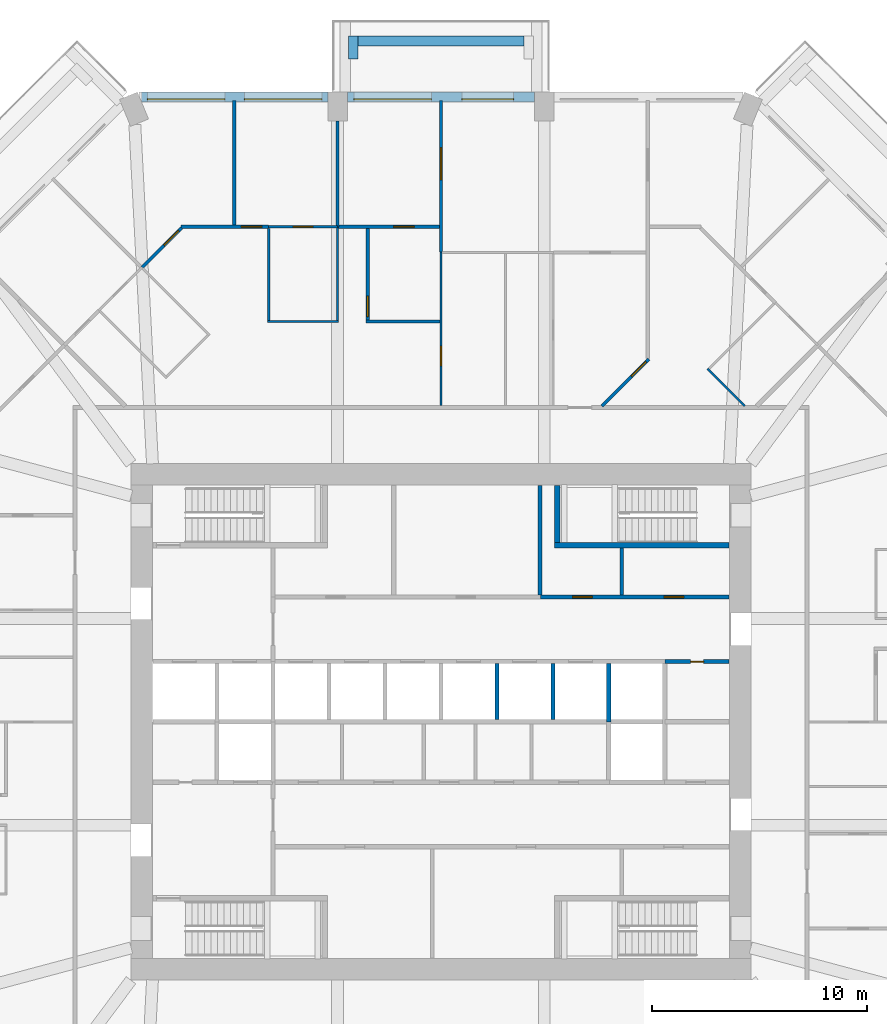
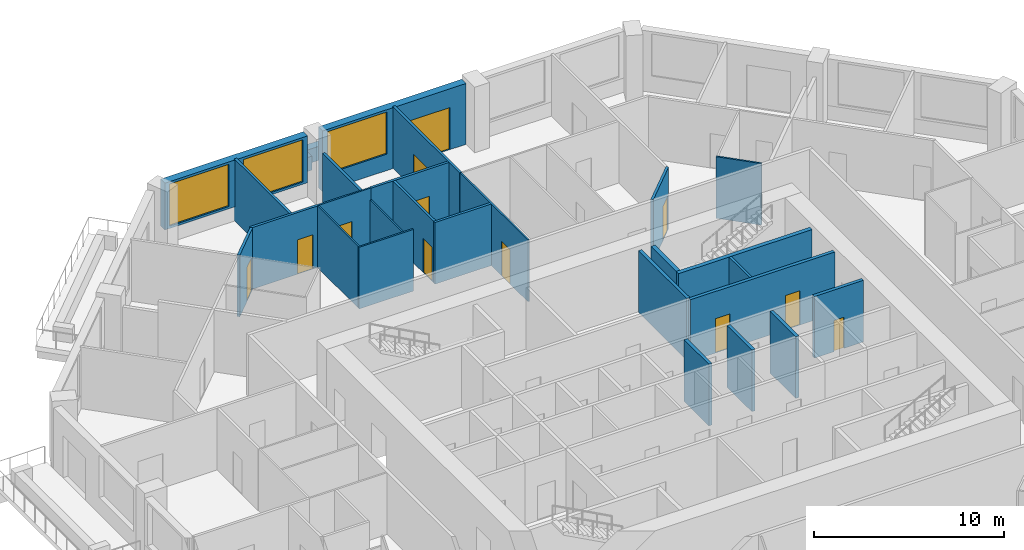
# One storey, part 9 of 13: 28 walls, 12 doors, 3 windows, 15 openings.
"""IFC4 building model written with IfcOpenShell, lengths in metres."""

from ifc_helpers import new_model, si_unit, direction, frame, frame_2d, origin, place, context, subcontext, project, spatial, rectangle, extrude, material, layer, layer_set, type_object, element, fill, save


model = new_model("IFC4")

# Units and contexts
model_context = context("Model", 3, precision=1e-05, world=origin(), true_north=direction((0.0, 1.0)))
body_context = subcontext(model_context, "Body", "Model", "MODEL_VIEW")
ifc_project = project(units=[si_unit("LENGTHUNIT", "METRE"), si_unit("AREAUNIT", "SQUARE_METRE"), si_unit("VOLUMEUNIT", "CUBIC_METRE"), si_unit("PLANEANGLEUNIT", "RADIAN"), si_unit("MASSUNIT", "GRAM", prefix="KILO")], contexts=[model_context])

# Site, building, storey
site_placement = place(None, origin())
site = spatial("IfcSite", under=ifc_project, at=site_placement, CompositionType="ELEMENT")
building_placement = place(site_placement, origin())
building = spatial("IfcBuilding", under=site, at=building_placement, Name="Msitu Wima Residences", CompositionType="ELEMENT")
storey_placement = place(building_placement, frame((0.0, 0.0, 25.5)))
storey = spatial("IfcBuildingStorey", under=building, at=storey_placement, Name="L05", CompositionType="ELEMENT", Elevation=25.5)

# Walls
ifc_material_1 = material(Name="Facing brick")
ifc_layer_1 = layer(ifc_material_1, 0.06494140625, Name="Facing brick")
ifc_material_2 = material(Name="Concrete C40/50", Category="concrete")
ifc_layer_2 = layer(ifc_material_2, 0.156005859375, Name="Concrete C40/50")
ifc_material_3 = material(Name="Waterproofing membrane")
ifc_layer_3 = layer(ifc_material_3, 0.00390625, Name="Waterproofing membrane")
ifc_material_4 = material(Name="Planting soil and planting")
ifc_layer_4 = layer(ifc_material_4, 0.22509765625, Name="Planting soil and planting")
ifc_layer_set_1 = layer_set([ifc_layer_1, ifc_layer_2, ifc_layer_3, ifc_layer_4], Name="Concrete C40/50")
wall_type_1 = type_object("IfcWallType", Name="Balcony planter PLANTER PL450", PredefinedType="USERDEFINED", material=ifc_layer_set_1)
wall_1_placement = place(storey_placement, frame((3.85009765625, 31.625, 0.0), z_axis=(0.0, 0.0, 1.0), x_axis=(-1.0, 0.0, 0.0)))
element("IfcWall", 1, at=wall_1_placement, inside=storey, type_object=wall_type_1, Name="Balcony planter N1 L05", ObjectType="PLANTER", PredefinedType="USERDEFINED", context=body_context, shape_type="SweptSolid", body=[
    extrude(rectangle(XDim=7.7001953125, YDim=0.449951171875, at=frame_2d((3.85009765625, 0.0))), origin(), (0.0, 0.0, 1.0), 0.89990234375),
])
wall_2_placement = place(storey_placement, frame((-4.074951171875, 30.800048828125, 0.0), z_axis=(0.0, 0.0, 1.0), x_axis=(0.0, 1.0, 0.0)))
element("IfcWall", 2, at=wall_2_placement, inside=storey, type_object=wall_type_1, Name="Balcony planter N1 L05", ObjectType="PLANTER", PredefinedType="USERDEFINED", context=body_context, shape_type="SweptSolid", body=[
    extrude(rectangle(XDim=1.050048828125, YDim=0.449951171875, at=frame_2d((0.52490234375, 0.0))), origin(), (0.0, 0.0, 1.0), 0.89990234375),
])

# Wall, openings, door, window
ifc_material_5 = material(Name="Brick (red buff mix)", Category="masonry")
ifc_layer_5 = layer(ifc_material_5, 0.449951171875)
ifc_layer_set_2 = layer_set([ifc_layer_5], Name="Brick (red buff mix)")
wall_type_2 = type_object("IfcWallType", Name="Brick infill wall BW450", PredefinedType="SOLIDWALL", material=ifc_layer_set_2)
wall_3_placement = place(storey_placement, frame((4.35009765625, 29.02490234375, 0.0), z_axis=(0.0, 0.0, 1.0), x_axis=(-1.0, 0.0, 0.0)))
wall_3 = element("IfcWall", 3, at=wall_3_placement, inside=storey, type_object=wall_type_2, Name="Brick infill wall L05 N1", PredefinedType="SOLIDWALL", context=body_context, shape_type="SweptSolid", body=[
    extrude(rectangle(XDim=8.7001953125, YDim=0.449951171875, at=frame_2d((4.35009765625, 0.0))), origin(), (0.0, 0.0, 1.0), 3.89990234375),
])
opening_1_placement = place(wall_3_placement, frame((0.97509765625, 0.0, 0.0)))
opening_1 = element("IfcOpeningElement", 4, at=opening_1_placement, cuts=wall_3, Name="Opening D05-07.003", PredefinedType="OPENING", context=body_context, shape_type="SweptSolid", body=[
    extrude(rectangle(XDim=2.39990234375, YDim=2.699951171875, at=frame_2d((1.199951171875, 1.35009765625))), frame((0.0, 0.23486328125, 0.0), z_axis=(0.0, -1.0, 0.0), x_axis=(1.0, 0.0, 0.0)), (0.0, 0.0, 1.0), 0.469970703125),
])
opening_2_placement = place(wall_3_placement, frame((4.800048828125, 0.0, 1.050048828125)))
opening_2 = element("IfcOpeningElement", 5, at=opening_2_placement, cuts=wall_3, Name="Opening W05-07.007", PredefinedType="OPENING", context=body_context, shape_type="SweptSolid", body=[
    extrude(rectangle(XDim=3.60009765625, YDim=2.699951171875, at=frame_2d((1.800048828125, 1.35009765625))), frame((0.0, 0.23486328125, 0.0), z_axis=(0.0, -1.0, 0.0), x_axis=(1.0, 0.0, 0.0)), (0.0, 0.0, 1.0), 0.469970703125),
])
ifc_material_6 = material(Name="Anodised aluminium, bronze finish, clear low-emissivity double glazing", Category="aluminium")
door_type_1 = type_object("IfcDoorType", Name="Balcony door D2400x2700", OperationType="SLIDING_TO_LEFT", PredefinedType="DOOR", material=ifc_material_6)
door_1_placement = place(opening_1_placement, origin())
door_1 = element("IfcDoor", 6, at=door_1_placement, inside=storey, type_object=door_type_1, Name="Balcony door L05 N1", OperationType="SINGLE_SWING_LEFT", OverallHeight=2.699951171875, OverallWidth=2.39990234375, PredefinedType="DOOR", context=body_context, shape_type="SweptSolid", body=[
    extrude(rectangle(XDim=2.39990234375, YDim=2.699951171875, at=frame_2d((1.199951171875, 1.35009765625))), frame((0.0, 0.1298828125, 0.0), z_axis=(0.0, -1.0, 0.0), x_axis=(1.0, 0.0, 0.0)), (0.0, 0.0, 1.0), 0.050048828125),
])
fill(opening_1, door_1)
window_type = type_object("IfcWindowType", Name="Window W3600x2700", PartitioningType="DOUBLE_PANEL_VERTICAL", PredefinedType="WINDOW", material=ifc_material_6)
window_1_placement = place(opening_2_placement, origin())
window_1 = element("IfcWindow", 7, at=window_1_placement, inside=storey, type_object=window_type, Name="Window L05 N1.2", OverallHeight=2.699951171875, OverallWidth=3.60009765625, PartitioningType="SINGLE_PANEL", PredefinedType="WINDOW", context=body_context, shape_type="SweptSolid", body=[
    extrude(rectangle(XDim=3.60009765625, YDim=2.699951171875, at=frame_2d((1.800048828125, 1.35009765625))), frame((0.0, 0.135009765625, 0.0), z_axis=(0.0, -1.0, 0.0), x_axis=(1.0, 0.0, 0.0)), (0.0, 0.0, 1.0), 0.06005859375),
])
fill(opening_2, window_1)

# Wall, openings, windows
wall_4_placement = place(storey_placement, frame((-5.25, 29.02490234375, 0.89990234375), z_axis=(0.0, 0.0, 1.0), x_axis=(-1.0, 0.0, 0.0)))
wall_4 = element("IfcWall", 8, at=wall_4_placement, inside=storey, type_object=wall_type_2, Name="Brick infill wall L05 N2", PredefinedType="SOLIDWALL", context=body_context, shape_type="SweptSolid", body=[
    extrude(rectangle(XDim=8.662841796875, YDim=0.449951171875, at=frame_2d((4.33154296875, 0.0))), origin(), (0.0, 0.0, 1.0), 3.0),
])
opening_3_placement = place(wall_4_placement, frame((0.281494140625, 0.0, 0.14990234375)))
opening_3 = element("IfcOpeningElement", 9, at=opening_3_placement, cuts=wall_4, Name="Opening W05-07.008", PredefinedType="OPENING", context=body_context, shape_type="SweptSolid", body=[
    extrude(rectangle(XDim=3.60009765625, YDim=2.699951171875, at=frame_2d((1.800048828125, 1.35009765625))), frame((0.0, 0.23486328125, 0.0), z_axis=(0.0, -1.0, 0.0), x_axis=(1.0, 0.0, 0.0)), (0.0, 0.0, 1.0), 0.469970703125),
])
opening_4_placement = place(wall_4_placement, frame((4.781494140625, 0.0, 0.14990234375)))
opening_4 = element("IfcOpeningElement", 10, at=opening_4_placement, cuts=wall_4, Name="Opening W05-07.009", PredefinedType="OPENING", context=body_context, shape_type="SweptSolid", body=[
    extrude(rectangle(XDim=3.60009765625, YDim=2.699951171875, at=frame_2d((1.800048828125, 1.35009765625))), frame((0.0, 0.23486328125, 0.0), z_axis=(0.0, -1.0, 0.0), x_axis=(1.0, 0.0, 0.0)), (0.0, 0.0, 1.0), 0.469970703125),
])
window_2_placement = place(opening_3_placement, origin())
window_2 = element("IfcWindow", 11, at=window_2_placement, inside=storey, type_object=window_type, Name="Window L05 N2.1", OverallHeight=2.699951171875, OverallWidth=3.60009765625, PartitioningType="SINGLE_PANEL", PredefinedType="WINDOW", context=body_context, shape_type="SweptSolid", body=[
    extrude(rectangle(XDim=3.60009765625, YDim=2.699951171875, at=frame_2d((1.800048828125, 1.35009765625))), frame((0.0, 0.135009765625, 0.0), z_axis=(0.0, -1.0, 0.0), x_axis=(1.0, 0.0, 0.0)), (0.0, 0.0, 1.0), 0.06005859375),
])
fill(opening_3, window_2)
window_3_placement = place(opening_4_placement, origin())
window_3 = element("IfcWindow", 12, at=window_3_placement, inside=storey, type_object=window_type, Name="Window L05 N2.2", OverallHeight=2.699951171875, OverallWidth=3.60009765625, PartitioningType="SINGLE_PANEL", PredefinedType="WINDOW", context=body_context, shape_type="SweptSolid", body=[
    extrude(rectangle(XDim=3.60009765625, YDim=2.699951171875, at=frame_2d((1.800048828125, 1.35009765625))), frame((0.0, 0.135009765625, 0.0), z_axis=(0.0, -1.0, 0.0), x_axis=(1.0, 0.0, 0.0)), (0.0, 0.0, 1.0), 0.06005859375),
])
fill(opening_4, window_3)

# Wall, openings, doors
ifc_material_7 = material(Name="Plaster")
ifc_layer_6 = layer(ifc_material_7, 0.011962890625, Name="Plaster")
ifc_material_8 = material(Name="Concrete blockwork", Category="masonry")
ifc_layer_7 = layer(ifc_material_8, 0.176025390625, Name="Concrete blockwork")
ifc_layer_8 = layer(ifc_material_7, 0.011962890625, Name="Plaster")
ifc_layer_set_3 = layer_set([ifc_layer_6, ifc_layer_7, ifc_layer_8], Name="Concrete blockwork")
wall_type_3 = type_object("IfcWallType", Name="Corridor wall FW200", PredefinedType="PARTITIONING", material=ifc_layer_set_3)
wall_5_placement = place(storey_placement, frame((4.6201171875, 5.800048828125, 0.0), z_axis=(0.0, 0.0, 1.0), x_axis=(1.0, 0.0, 0.0)))
wall_5 = element("IfcWall", 13, at=wall_5_placement, inside=storey, type_object=wall_type_3, Name="Corridor wall", PredefinedType="PARTITIONING", context=body_context, shape_type="SweptSolid", body=[
    extrude(rectangle(XDim=8.75, YDim=0.199951171875, at=frame_2d((4.375, 0.0))), origin(), (0.0, 0.0, 1.0), 3.949951171875),
])
opening_5_placement = place(wall_5_placement, frame((1.5, 0.0, 0.0)))
opening_5 = element("IfcOpeningElement", 14, at=opening_5_placement, cuts=wall_5, Name="Opening D05-07.022", PredefinedType="OPENING", context=body_context, shape_type="SweptSolid", body=[
    extrude(rectangle(XDim=0.89990234375, YDim=2.199951171875, at=frame_2d((0.449951171875, 1.10009765625))), frame((0.0, 0.10986328125, 0.0), z_axis=(0.0, -1.0, 0.0), x_axis=(1.0, 0.0, 0.0)), (0.0, 0.0, 1.0), 0.219970703125),
])
opening_6_placement = place(wall_5_placement, frame((5.75, 0.0, 0.0)))
opening_6 = element("IfcOpeningElement", 15, at=opening_6_placement, cuts=wall_5, Name="Opening D05-07.023", PredefinedType="OPENING", context=body_context, shape_type="SweptSolid", body=[
    extrude(rectangle(XDim=0.89990234375, YDim=2.199951171875, at=frame_2d((0.449951171875, 1.10009765625))), frame((0.0, 0.10986328125, 0.0), z_axis=(0.0, -1.0, 0.0), x_axis=(1.0, 0.0, 0.0)), (0.0, 0.0, 1.0), 0.219970703125),
])
ifc_material_9 = material(Name="Timber flush door", Category="wood")
door_type_2 = type_object("IfcDoorType", Name="Service door D05 900x2200", OperationType="SINGLE_SWING_LEFT", PredefinedType="DOOR", material=ifc_material_9)
door_2_placement = place(opening_5_placement, origin())
door_2 = element("IfcDoor", 16, at=door_2_placement, inside=storey, type_object=door_type_2, Name="Service door", OperationType="SINGLE_SWING_RIGHT", OverallHeight=2.199951171875, OverallWidth=0.89990234375, PredefinedType="DOOR", context=body_context, shape_type="SweptSolid", body=[
    extrude(rectangle(XDim=0.89990234375, YDim=2.199951171875, at=frame_2d((0.449951171875, 1.10009765625))), frame((0.0, 0.02490234375, 0.0), z_axis=(0.0, -1.0, 0.0), x_axis=(1.0, 0.0, 0.0)), (0.0, 0.0, 1.0), 0.050048828125),
])
fill(opening_5, door_2)
door_3_placement = place(opening_6_placement, origin())
door_3 = element("IfcDoor", 17, at=door_3_placement, inside=storey, type_object=door_type_2, Name="Service door", OperationType="SINGLE_SWING_LEFT", OverallHeight=2.199951171875, OverallWidth=0.89990234375, PredefinedType="DOOR", context=body_context, shape_type="SweptSolid", body=[
    extrude(rectangle(XDim=0.89990234375, YDim=2.199951171875, at=frame_2d((0.449951171875, 1.10009765625))), frame((0.0, 0.02490234375, 0.0), z_axis=(0.0, -1.0, 0.0), x_axis=(1.0, 0.0, 0.0)), (0.0, 0.0, 1.0), 0.050048828125),
])
fill(opening_6, door_3)

# Wall, opening, door
ifc_layer_9 = layer(ifc_material_7, 0.011962890625, Name="Plaster")
ifc_layer_10 = layer(ifc_material_8, 0.1259765625, Name="Concrete blockwork")
ifc_layer_11 = layer(ifc_material_7, 0.011962890625, Name="Plaster")
ifc_layer_set_4 = layer_set([ifc_layer_9, ifc_layer_10, ifc_layer_11], Name="Concrete blockwork")
wall_type_4 = type_object("IfcWallType", Name="Partition PW150", PredefinedType="PARTITIONING", material=ifc_layer_set_4)
wall_6_placement = place(storey_placement, frame((-13.884521484375, 21.113037109375, 0.0), z_axis=(0.0, 0.0, 1.0), x_axis=(0.707106781187, 0.707106781187, 0.0)))
wall_6 = element("IfcWall", 18, at=wall_6_placement, inside=storey, type_object=wall_type_4, Name="Partition", PredefinedType="PARTITIONING", context=body_context, shape_type="SweptSolid", body=[
    extrude(rectangle(XDim=2.59375, YDim=0.14990234375, at=frame_2d((1.296875, 0.0))), origin(), (0.0, 0.0, 1.0), 3.949951171875),
])
opening_7_placement = place(wall_6_placement, frame((1.449951171875, 0.0, 0.0)))
opening_7 = element("IfcOpeningElement", 19, at=opening_7_placement, cuts=wall_6, Name="Opening D05-07.062", PredefinedType="OPENING", context=body_context, shape_type="SweptSolid", body=[
    extrude(rectangle(XDim=0.949951171875, YDim=2.199951171875, at=frame_2d((0.47509765625, 1.10009765625))), frame((0.0, 0.0849609375, 0.0), z_axis=(0.0, -1.0, 0.0), x_axis=(1.0, 0.0, 0.0)), (0.0, 0.0, 1.0), 0.169921875),
])
door_type_3 = type_object("IfcDoorType", Name="Room door D12 950x2200", OperationType="SINGLE_SWING_LEFT", PredefinedType="DOOR", material=ifc_material_9)
door_4_placement = place(opening_7_placement, origin())
door_4 = element("IfcDoor", 20, at=door_4_placement, inside=storey, type_object=door_type_3, Name="Room door", OperationType="SINGLE_SWING_LEFT", OverallHeight=2.199951171875, OverallWidth=0.949951171875, PredefinedType="DOOR", context=body_context, shape_type="SweptSolid", body=[
    extrude(rectangle(XDim=0.949951171875, YDim=2.199951171875, at=frame_2d((0.47509765625, 1.10009765625))), frame((0.0, 0.02490234375, 0.0), z_axis=(0.0, -1.0, 0.0), x_axis=(1.0, 0.0, 0.0)), (0.0, 0.0, 1.0), 0.050048828125),
])
fill(opening_7, door_4)

wall_7_placement = place(storey_placement, frame((-12.072509765625, 23.0, 0.0), z_axis=(0.0, 0.0, 1.0), x_axis=(1.0, 0.0, 0.0)))
wall_7 = element("IfcWall", 21, at=wall_7_placement, inside=storey, type_object=wall_type_4, Name="Partition", PredefinedType="PARTITIONING", context=body_context, shape_type="SweptSolid", body=[
    extrude(rectangle(XDim=4.072509765625, YDim=0.14990234375, at=frame_2d((2.0361328125, 0.0))), origin(), (0.0, 0.0, 1.0), 3.949951171875),
])
opening_8_placement = place(wall_7_placement, frame((2.800048828125, 0.0, 0.0)))
opening_8 = element("IfcOpeningElement", 22, at=opening_8_placement, cuts=wall_7, Name="Opening D05-07.059", PredefinedType="OPENING", context=body_context, shape_type="SweptSolid", body=[
    extrude(rectangle(XDim=0.949951171875, YDim=2.199951171875, at=frame_2d((0.47509765625, 1.10009765625))), frame((0.0, 0.0849609375, 0.0), z_axis=(0.0, -1.0, 0.0), x_axis=(1.0, 0.0, 0.0)), (0.0, 0.0, 1.0), 0.169921875),
])
door_5_placement = place(opening_8_placement, origin())
door_5 = element("IfcDoor", 23, at=door_5_placement, inside=storey, type_object=door_type_3, Name="Room door", OperationType="SINGLE_SWING_LEFT", OverallHeight=2.199951171875, OverallWidth=0.949951171875, PredefinedType="DOOR", context=body_context, shape_type="SweptSolid", body=[
    extrude(rectangle(XDim=0.949951171875, YDim=2.199951171875, at=frame_2d((0.47509765625, 1.10009765625))), frame((0.0, 0.02490234375, 0.0), z_axis=(0.0, -1.0, 0.0), x_axis=(1.0, 0.0, 0.0)), (0.0, 0.0, 1.0), 0.050048828125),
])
fill(opening_8, door_5)

# Walls
wall_8_placement = place(storey_placement, frame((-9.60009765625, 23.074951171875, 0.0), z_axis=(0.0, 0.0, 1.0), x_axis=(0.0, 1.0, 0.0)))
element("IfcWall", 24, at=wall_8_placement, inside=storey, type_object=wall_type_4, Name="Partition", PredefinedType="PARTITIONING", context=body_context, shape_type="SweptSolid", body=[
    extrude(rectangle(XDim=5.780029296875, YDim=0.14990234375, at=frame_2d((2.89013671875, 0.0))), origin(), (0.0, 0.0, 1.0), 3.949951171875),
])
wall_9_placement = place(storey_placement, frame((-4.800048828125, 22.97998046875, 0.0), z_axis=(0.0, 0.0, 1.0), x_axis=(0.0, 1.0, 0.0)))
element("IfcWall", 25, at=wall_9_placement, inside=storey, type_object=wall_type_4, Name="Partition", PredefinedType="PARTITIONING", context=body_context, shape_type="SweptSolid", body=[
    extrude(rectangle(XDim=4.919921875, YDim=0.14990234375, at=frame_2d((2.4599609375, 0.0))), origin(), (0.0, 0.0, 1.0), 3.199951171875),
])

# Wall, opening, door
wall_10_placement = place(storey_placement, frame((-4.800048828125, 23.0, 0.0), z_axis=(0.0, 0.0, 1.0), x_axis=(1.0, 0.0, 0.0)))
wall_10 = element("IfcWall", 26, at=wall_10_placement, inside=storey, type_object=wall_type_4, Name="Partition", PredefinedType="PARTITIONING", context=body_context, shape_type="SweptSolid", body=[
    extrude(rectangle(XDim=4.72509765625, YDim=0.14990234375, at=frame_2d((2.362548828125, 0.0))), origin(), (0.0, 0.0, 1.0), 3.949951171875),
])
opening_9_placement = place(wall_10_placement, frame((2.60009765625, 0.0, 0.0)))
opening_9 = element("IfcOpeningElement", 27, at=opening_9_placement, cuts=wall_10, Name="Opening D05-07.054", PredefinedType="OPENING", context=body_context, shape_type="SweptSolid", body=[
    extrude(rectangle(XDim=0.949951171875, YDim=2.199951171875, at=frame_2d((0.47509765625, 1.10009765625))), frame((0.0, 0.0849609375, 0.0), z_axis=(0.0, -1.0, 0.0), x_axis=(1.0, 0.0, 0.0)), (0.0, 0.0, 1.0), 0.169921875),
])
door_6_placement = place(opening_9_placement, origin())
door_6 = element("IfcDoor", 28, at=door_6_placement, inside=storey, type_object=door_type_3, Name="Room door", OperationType="SINGLE_SWING_RIGHT", OverallHeight=2.199951171875, OverallWidth=0.949951171875, PredefinedType="DOOR", context=body_context, shape_type="SweptSolid", body=[
    extrude(rectangle(XDim=0.949951171875, YDim=2.199951171875, at=frame_2d((0.47509765625, 1.10009765625))), frame((0.0, 0.02490234375, 0.0), z_axis=(0.0, -1.0, 0.0), x_axis=(1.0, 0.0, 0.0)), (0.0, 0.0, 1.0), 0.050048828125),
])
fill(opening_9, door_6)

wall_11_placement = place(storey_placement, frame((-3.39990234375, 18.675048828125, 0.0), z_axis=(0.0, 0.0, 1.0), x_axis=(0.0, 1.0, 0.0)))
wall_11 = element("IfcWall", 29, at=wall_11_placement, inside=storey, type_object=wall_type_4, Name="Partition", PredefinedType="PARTITIONING", context=body_context, shape_type="SweptSolid", body=[
    extrude(rectangle(XDim=4.25, YDim=0.14990234375, at=frame_2d((2.125, 0.0))), origin(), (0.0, 0.0, 1.0), 3.949951171875),
])
opening_10_placement = place(wall_11_placement, frame((0.14990234375, 0.0, 0.0)))
opening_10 = element("IfcOpeningElement", 30, at=opening_10_placement, cuts=wall_11, Name="Opening D05-07.056", PredefinedType="OPENING", context=body_context, shape_type="SweptSolid", body=[
    extrude(rectangle(XDim=0.949951171875, YDim=2.199951171875, at=frame_2d((0.47509765625, 1.10009765625))), frame((0.0, 0.0849609375, 0.0), z_axis=(0.0, -1.0, 0.0), x_axis=(1.0, 0.0, 0.0)), (0.0, 0.0, 1.0), 0.169921875),
])
door_7_placement = place(opening_10_placement, origin())
door_7 = element("IfcDoor", 31, at=door_7_placement, inside=storey, type_object=door_type_3, Name="Room door", OperationType="SINGLE_SWING_RIGHT", OverallHeight=2.199951171875, OverallWidth=0.949951171875, PredefinedType="DOOR", context=body_context, shape_type="SweptSolid", body=[
    extrude(rectangle(XDim=0.949951171875, YDim=2.199951171875, at=frame_2d((0.47509765625, 1.10009765625))), frame((0.0, 0.02490234375, 0.0), z_axis=(0.0, -1.0, 0.0), x_axis=(1.0, 0.0, 0.0)), (0.0, 0.0, 1.0), 0.050048828125),
])
fill(opening_10, door_7)

# Wall
wall_12_placement = place(storey_placement, frame((-3.47509765625, 18.60009765625, 0.0), z_axis=(0.0, 0.0, 1.0), x_axis=(1.0, 0.0, 0.0)))
element("IfcWall", 32, at=wall_12_placement, inside=storey, type_object=wall_type_4, Name="Partition", PredefinedType="PARTITIONING", context=body_context, shape_type="SweptSolid", body=[
    extrude(rectangle(XDim=3.425048828125, YDim=0.14990234375, at=frame_2d((1.71240234375, 0.0))), origin(), (0.0, 0.0, 1.0), 3.949951171875),
])

# Wall, opening, door
wall_13_placement = place(storey_placement, frame((0.0, 21.820068359375, 0.0), z_axis=(0.0, 0.0, 1.0), x_axis=(0.0, 1.0, 0.0)))
wall_13 = element("IfcWall", 33, at=wall_13_placement, inside=storey, type_object=wall_type_4, Name="Partition", PredefinedType="PARTITIONING", context=body_context, shape_type="SweptSolid", body=[
    extrude(rectangle(XDim=7.034912109375, YDim=0.14990234375, at=frame_2d((3.517578125, 0.0))), origin(), (0.0, 0.0, 1.0), 3.949951171875),
])
opening_11_placement = place(wall_13_placement, frame((3.35009765625, 0.0, 0.0)))
opening_11 = element("IfcOpeningElement", 34, at=opening_11_placement, cuts=wall_13, Name="Opening D05-07.050", PredefinedType="OPENING", context=body_context, shape_type="SweptSolid", body=[
    extrude(rectangle(XDim=1.5, YDim=2.199951171875, at=frame_2d((0.75, 1.10009765625))), frame((0.0, 0.0849609375, 0.0), z_axis=(0.0, -1.0, 0.0), x_axis=(1.0, 0.0, 0.0)), (0.0, 0.0, 1.0), 0.169921875),
])
ifc_material_10 = material(Name="Timber double door", Category="wood")
door_type_4 = type_object("IfcDoorType", Name="Double door D04 1500x2200", OperationType="DOUBLE_DOOR_SINGLE_SWING", PredefinedType="DOOR", material=ifc_material_10)
door_8_placement = place(opening_11_placement, origin())
door_8 = element("IfcDoor", 35, at=door_8_placement, inside=storey, type_object=door_type_4, Name="Double door", OperationType="DOUBLE_DOOR_SINGLE_SWING", OverallHeight=2.199951171875, OverallWidth=1.5, PredefinedType="DOOR", context=body_context, shape_type="SweptSolid", body=[
    extrude(rectangle(XDim=1.5, YDim=2.199951171875, at=frame_2d((0.75, 1.10009765625))), frame((0.0, 0.02490234375, 0.0), z_axis=(0.0, -1.0, 0.0), x_axis=(1.0, 0.0, 0.0)), (0.0, 0.0, 1.0), 0.050048828125),
])
fill(opening_11, door_8)

wall_14_placement = place(storey_placement, frame((7.470703125, 14.670654296875, 0.0), z_axis=(0.0, 0.0, 1.0), x_axis=(0.707106781187, 0.707106781187, 0.0)))
wall_14 = element("IfcWall", 36, at=wall_14_placement, inside=storey, type_object=wall_type_4, Name="Partition", PredefinedType="PARTITIONING", context=body_context, shape_type="SweptSolid", body=[
    extrude(rectangle(XDim=3.08642578125, YDim=0.14990234375, at=frame_2d((1.543212890625, 0.0))), origin(), (0.0, 0.0, 1.0), 3.949951171875),
])
opening_12_placement = place(wall_14_placement, frame((1.949951171875, 0.0, 0.0)))
opening_12 = element("IfcOpeningElement", 37, at=opening_12_placement, cuts=wall_14, Name="Opening D05-07.047", PredefinedType="OPENING", context=body_context, shape_type="SweptSolid", body=[
    extrude(rectangle(XDim=0.949951171875, YDim=2.199951171875, at=frame_2d((0.47509765625, 1.10009765625))), frame((0.0, 0.0849609375, 0.0), z_axis=(0.0, -1.0, 0.0), x_axis=(1.0, 0.0, 0.0)), (0.0, 0.0, 1.0), 0.169921875),
])
door_9_placement = place(opening_12_placement, origin())
door_9 = element("IfcDoor", 38, at=door_9_placement, inside=storey, type_object=door_type_3, Name="Room door", OperationType="SINGLE_SWING_RIGHT", OverallHeight=2.199951171875, OverallWidth=0.949951171875, PredefinedType="DOOR", context=body_context, shape_type="SweptSolid", body=[
    extrude(rectangle(XDim=0.949951171875, YDim=2.199951171875, at=frame_2d((0.47509765625, 1.10009765625))), frame((0.0, 0.02490234375, 0.0), z_axis=(0.0, -1.0, 0.0), x_axis=(1.0, 0.0, 0.0)), (0.0, 0.0, 1.0), 0.050048828125),
])
fill(opening_12, door_9)

# Walls
wall_15_placement = place(storey_placement, frame((8.39990234375, 5.89990234375, 0.0), z_axis=(0.0, 0.0, 1.0), x_axis=(0.0, 1.0, 0.0)))
element("IfcWall", 39, at=wall_15_placement, inside=storey, type_object=wall_type_4, Name="Partition", PredefinedType="PARTITIONING", context=body_context, shape_type="SweptSolid", body=[
    extrude(rectangle(XDim=2.175048828125, YDim=0.14990234375, at=frame_2d((1.08740234375, 0.0))), origin(), (0.0, 0.0, 1.0), 3.949951171875),
])
ifc_layer_12 = layer(ifc_material_7, 0.011962890625, Name="Plaster")
ifc_material_11 = material(Name="Reinforced concrete blockwork", Category="masonry")
ifc_layer_13 = layer(ifc_material_11, 0.176025390625, Name="Reinforced concrete blockwork")
ifc_layer_14 = layer(ifc_material_7, 0.011962890625, Name="Plaster")
ifc_layer_set_5 = layer_set([ifc_layer_12, ifc_layer_13, ifc_layer_14], Name="Reinforced concrete blockwork")
wall_type_5 = type_object("IfcWallType", Name="Plant and riser wall PL200", PredefinedType="PARTITIONING", material=ifc_layer_set_5)
wall_16_placement = place(storey_placement, frame((4.60009765625, 5.89990234375, 0.0), z_axis=(0.0, 0.0, 1.0), x_axis=(0.0, 1.0, 0.0)))
element("IfcWall", 40, at=wall_16_placement, inside=storey, type_object=wall_type_5, Name="Plant and riser wall", PredefinedType="PARTITIONING", context=body_context, shape_type="SweptSolid", body=[
    extrude(rectangle(XDim=5.070068359375, YDim=0.199951171875, at=frame_2d((2.53515625, 0.0))), origin(), (0.0, 0.0, 1.0), 3.949951171875),
])

# Wall, opening, door
wall_17_placement = place(storey_placement, frame((10.39990234375, 2.800048828125, 0.0), z_axis=(0.0, 0.0, 1.0), x_axis=(1.0, 0.0, 0.0)))
wall_17 = element("IfcWall", 41, at=wall_17_placement, inside=storey, type_object=wall_type_5, Name="Plant and riser wall", PredefinedType="PARTITIONING", context=body_context, shape_type="SweptSolid", body=[
    extrude(rectangle(XDim=2.97021484375, YDim=0.199951171875, at=frame_2d((1.485107421875, 0.0))), origin(), (0.0, 0.0, 1.0), 3.949951171875),
])
opening_13_placement = place(wall_17_placement, frame((1.199951171875, 0.0, 0.0)))
opening_13 = element("IfcOpeningElement", 42, at=opening_13_placement, cuts=wall_17, Name="Opening D05-07.029", PredefinedType="OPENING", context=body_context, shape_type="SweptSolid", body=[
    extrude(rectangle(XDim=0.60009765625, YDim=2.0, at=frame_2d((0.300048828125, 1.0))), frame((0.0, 0.10986328125, 0.0), z_axis=(0.0, -1.0, 0.0), x_axis=(1.0, 0.0, 0.0)), (0.0, 0.0, 1.0), 0.219970703125),
])
ifc_material_12 = material(Name="Steel access door, fire resisting", Category="steel")
door_type_5 = type_object("IfcDoorType", Name="Riser access door D08 600x2000", OperationType="SINGLE_SWING_LEFT", PredefinedType="DOOR", material=ifc_material_12)
door_10_placement = place(opening_13_placement, origin())
door_10 = element("IfcDoor", 43, at=door_10_placement, inside=storey, type_object=door_type_5, Name="Riser access door", OperationType="SINGLE_SWING_RIGHT", OverallHeight=2.0, OverallWidth=0.60009765625, PredefinedType="DOOR", context=body_context, shape_type="SweptSolid", body=[
    extrude(rectangle(XDim=0.60009765625, YDim=2.0, at=frame_2d((0.300048828125, 1.0))), frame((0.0, 0.02490234375, 0.0), z_axis=(0.0, -1.0, 0.0), x_axis=(1.0, 0.0, 0.0)), (0.0, 0.0, 1.0), 0.050048828125),
])
fill(opening_13, door_10)

# Walls
ifc_material_13 = material(Name="Fire-rated board")
ifc_layer_15 = layer(ifc_material_13, 0.02490234375, Name="Fire-rated board")
ifc_material_14 = material(Name="Light-gauge stud framing with mineral wool")
ifc_layer_16 = layer(ifc_material_14, 0.14990234375, Name="Light-gauge stud framing with mineral wool")
ifc_layer_17 = layer(ifc_material_13, 0.02490234375, Name="Fire-rated board")
ifc_layer_set_6 = layer_set([ifc_layer_15, ifc_layer_16, ifc_layer_17], Name="Light-gauge stud framing with mineral wool")
wall_type_6 = type_object("IfcWallType", Name="Shaft wall SH200", PredefinedType="PARTITIONING", material=ifc_layer_set_6)
for number, where, z_axis, x_axis, name in (
    (44, (2.60009765625, 0.10009765625, 0.0), (0.0, 0.0, 1.0), (0.0, 1.0, 0.0), "Shaft wall"),
    (45, (5.199951171875, 0.10009765625, 0.0), (0.0, 0.0, 1.0), (0.0, 1.0, 0.0), "Shaft wall"),
):
    element("IfcWall", number, at=place(storey_placement, frame(where, z_axis=z_axis, x_axis=x_axis)), inside=storey, type_object=wall_type_6, Name=name, PredefinedType="PARTITIONING", context=body_context, shape_type="SweptSolid", body=[
        extrude(rectangle(XDim=2.599853515625, YDim=0.199951171875, at=frame_2d((1.2998046875, 0.0))), origin(), (0.0, 0.0, 1.0), 3.949951171875),
    ])
wall_18_placement = place(storey_placement, frame((7.800048828125, 0.0, 0.0), z_axis=(0.0, 0.0, 1.0), x_axis=(0.0, 1.0, 0.0)))
element("IfcWall", 46, at=wall_18_placement, inside=storey, type_object=wall_type_6, Name="Shaft wall", PredefinedType="PARTITIONING", context=body_context, shape_type="SweptSolid", body=[
    extrude(rectangle(XDim=2.699951171875, YDim=0.199951171875, at=frame_2d((1.35009765625, 0.0))), origin(), (0.0, 0.0, 1.0), 3.949951171875),
])
ifc_material_15 = material(Name="Concrete C50/60", Category="concrete")
ifc_layer_18 = layer(ifc_material_15, 0.25)
ifc_layer_set_7 = layer_set([ifc_layer_18], Name="Concrete C50/60")
wall_type_7 = type_object("IfcWallType", Name="Stair enclosure wall SW250", PredefinedType="SHEAR", material=ifc_layer_set_7)
wall_19_placement = place(storey_placement, frame((5.39990234375, 8.324951171875, 0.0), z_axis=(0.0, 0.0, 1.0), x_axis=(0.0, 1.0, 0.0)))
element("IfcWall", 47, at=wall_19_placement, inside=storey, type_object=wall_type_7, Name="Stair enclosure wall", PredefinedType="SHEAR", context=body_context, shape_type="SweptSolid", body=[
    extrude(rectangle(XDim=2.64501953125, YDim=0.25, at=frame_2d((1.322509765625, 0.0))), origin(), (0.0, 0.0, 1.0), 3.949951171875),
])
wall_20_placement = place(storey_placement, frame((5.27490234375, 8.199951171875, 0.0), z_axis=(0.0, 0.0, 1.0), x_axis=(1.0, 0.0, 0.0)))
element("IfcWall", 48, at=wall_20_placement, inside=storey, type_object=wall_type_7, Name="Stair enclosure wall", PredefinedType="SHEAR", context=body_context, shape_type="SweptSolid", body=[
    extrude(rectangle(XDim=8.09521484375, YDim=0.25, at=frame_2d((4.047607421875, 0.0))), origin(), (0.0, 0.0, 1.0), 3.949951171875),
])

# Wall, opening, door
ifc_material_16 = material(Name="Ceramic tiles")
ifc_layer_19 = layer(ifc_material_16, 0.008056640625, Name="Ceramic tiles")
ifc_material_17 = material(Name="Moisture-resistant board")
ifc_layer_20 = layer(ifc_material_17, 0.012451171875, Name="Moisture-resistant board")
ifc_layer_21 = layer(ifc_material_14, 0.06689453125, Name="Light-gauge stud framing with mineral wool")
ifc_layer_22 = layer(ifc_material_17, 0.012451171875, Name="Moisture-resistant board")
ifc_layer_set_8 = layer_set([ifc_layer_19, ifc_layer_20, ifc_layer_21, ifc_layer_22], Name="Light-gauge stud framing with mineral wool")
wall_type_8 = type_object("IfcWallType", Name="Wet wall PW100", PredefinedType="PARTITIONING", material=ifc_layer_set_8)
wall_21_placement = place(storey_placement, frame((-8.0, 23.0, 0.0), z_axis=(0.0, 0.0, 1.0), x_axis=(1.0, 0.0, 0.0)))
wall_21 = element("IfcWall", 49, at=wall_21_placement, inside=storey, type_object=wall_type_8, Name="Wet wall", PredefinedType="PARTITIONING", context=body_context, shape_type="SweptSolid", body=[
    extrude(rectangle(XDim=3.199951171875, YDim=0.10009765625, at=frame_2d((1.60009765625, 0.0))), origin(), (0.0, 0.0, 1.0), 3.949951171875),
])
opening_14_placement = place(wall_21_placement, frame((1.14990234375, 0.0, 0.0)))
opening_14 = element("IfcOpeningElement", 50, at=opening_14_placement, cuts=wall_21, Name="Opening D05-07.060", PredefinedType="OPENING", context=body_context, shape_type="SweptSolid", body=[
    extrude(rectangle(XDim=0.89990234375, YDim=2.199951171875, at=frame_2d((0.449951171875, 1.10009765625))), frame((0.0, 0.06005859375, 0.0), z_axis=(0.0, -1.0, 0.0), x_axis=(1.0, 0.0, 0.0)), (0.0, 0.0, 1.0), 0.1201171875),
])
ifc_material_18 = material(Name="Timber flush door, moisture resistant", Category="wood")
door_type_6 = type_object("IfcDoorType", Name="Bathroom door D03 900x2200", OperationType="SINGLE_SWING_LEFT", PredefinedType="DOOR", material=ifc_material_18)
door_11_placement = place(opening_14_placement, origin())
door_11 = element("IfcDoor", 51, at=door_11_placement, inside=storey, type_object=door_type_6, Name="Bathroom door", OperationType="SINGLE_SWING_RIGHT", OverallHeight=2.199951171875, OverallWidth=0.89990234375, PredefinedType="DOOR", context=body_context, shape_type="SweptSolid", body=[
    extrude(rectangle(XDim=0.89990234375, YDim=2.199951171875, at=frame_2d((0.449951171875, 1.10009765625))), frame((0.0, 0.02490234375, 0.0), z_axis=(0.0, -1.0, 0.0), x_axis=(1.0, 0.0, 0.0)), (0.0, 0.0, 1.0), 0.050048828125),
])
fill(opening_14, door_11)

# Walls
wall_22_placement = place(storey_placement, frame((-8.0, 18.64990234375, 0.0), z_axis=(0.0, 0.0, 1.0), x_axis=(0.0, 1.0, 0.0)))
element("IfcWall", 52, at=wall_22_placement, inside=storey, type_object=wall_type_8, Name="Wet wall", PredefinedType="PARTITIONING", context=body_context, shape_type="SweptSolid", body=[
    extrude(rectangle(XDim=4.275146484375, YDim=0.10009765625, at=frame_2d((2.1376953125, 0.0))), origin(), (0.0, 0.0, 1.0), 3.949951171875),
])
wall_23_placement = place(storey_placement, frame((-8.050048828125, 18.60009765625, 0.0), z_axis=(0.0, 0.0, 1.0), x_axis=(1.0, 0.0, 0.0)))
element("IfcWall", 53, at=wall_23_placement, inside=storey, type_object=wall_type_8, Name="Wet wall", PredefinedType="PARTITIONING", context=body_context, shape_type="SweptSolid", body=[
    extrude(rectangle(XDim=3.300048828125, YDim=0.10009765625, at=frame_2d((1.64990234375, 0.0))), origin(), (0.0, 0.0, 1.0), 3.949951171875),
])
wall_24_placement = place(storey_placement, frame((-4.800048828125, 18.64990234375, 0.0), z_axis=(0.0, 0.0, 1.0), x_axis=(0.0, 1.0, 0.0)))
element("IfcWall", 54, at=wall_24_placement, inside=storey, type_object=wall_type_8, Name="Wet wall", PredefinedType="PARTITIONING", context=body_context, shape_type="SweptSolid", body=[
    extrude(rectangle(XDim=4.330078125, YDim=0.10009765625, at=frame_2d((2.1650390625, 0.0))), origin(), (0.0, 0.0, 1.0), 3.199951171875),
])

# Wall, opening, door
wall_25_placement = place(storey_placement, frame((0.0, 14.699951171875, 0.0), z_axis=(0.0, 0.0, 1.0), x_axis=(0.0, 1.0, 0.0)))
wall_25 = element("IfcWall", 55, at=wall_25_placement, inside=storey, type_object=wall_type_8, Name="Wet wall", PredefinedType="PARTITIONING", context=body_context, shape_type="SweptSolid", body=[
    extrude(rectangle(XDim=7.1201171875, YDim=0.10009765625, at=frame_2d((3.56005859375, 0.0))), origin(), (0.0, 0.0, 1.0), 3.949951171875),
])
opening_15_placement = place(wall_25_placement, frame((1.85009765625, 0.0, 0.0)))
opening_15 = element("IfcOpeningElement", 56, at=opening_15_placement, cuts=wall_25, Name="Opening D05-07.061", PredefinedType="OPENING", context=body_context, shape_type="SweptSolid", body=[
    extrude(rectangle(XDim=0.89990234375, YDim=2.199951171875, at=frame_2d((0.449951171875, 1.10009765625))), frame((0.0, 0.06005859375, 0.0), z_axis=(0.0, -1.0, 0.0), x_axis=(1.0, 0.0, 0.0)), (0.0, 0.0, 1.0), 0.1201171875),
])
door_12_placement = place(opening_15_placement, origin())
door_12 = element("IfcDoor", 57, at=door_12_placement, inside=storey, type_object=door_type_6, Name="Bathroom door", OperationType="SINGLE_SWING_RIGHT", OverallHeight=2.199951171875, OverallWidth=0.89990234375, PredefinedType="DOOR", context=body_context, shape_type="SweptSolid", body=[
    extrude(rectangle(XDim=0.89990234375, YDim=2.199951171875, at=frame_2d((0.449951171875, 1.10009765625))), frame((0.0, 0.02490234375, 0.0), z_axis=(0.0, -1.0, 0.0), x_axis=(1.0, 0.0, 0.0)), (0.0, 0.0, 1.0), 0.050048828125),
])
fill(opening_15, door_12)

# Wall
wall_26_placement = place(storey_placement, frame((12.372314453125, 16.40283203125, 0.0), z_axis=(0.0, 0.0, 1.0), x_axis=(0.707056944574, -0.707156614287, 0.0)))
element("IfcWall", 58, at=wall_26_placement, inside=storey, type_object=wall_type_8, Name="Wet wall", PredefinedType="PARTITIONING", context=body_context, shape_type="SweptSolid", body=[
    extrude(rectangle(XDim=2.449462890625, YDim=0.10009765625, at=frame_2d((1.224609375, 0.0))), origin(), (0.0, 0.0, 1.0), 3.949951171875),
])

save(model, "model.ifc")
